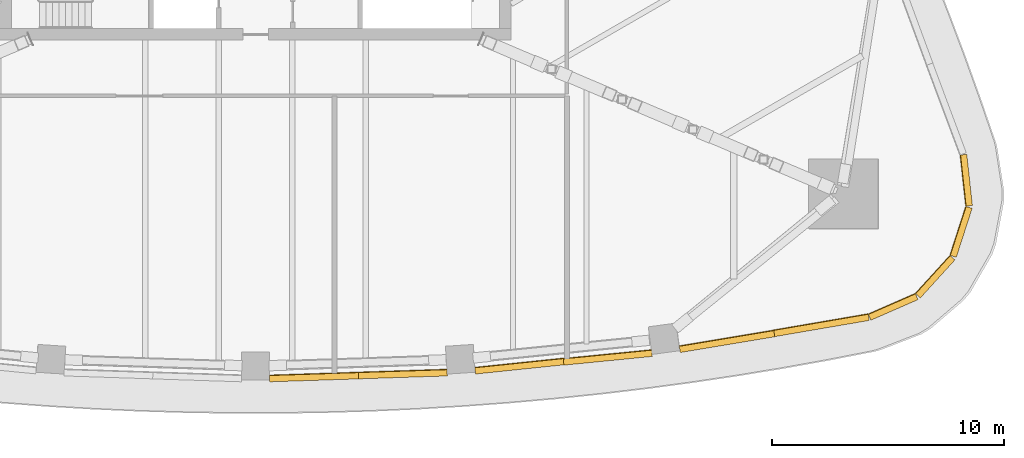
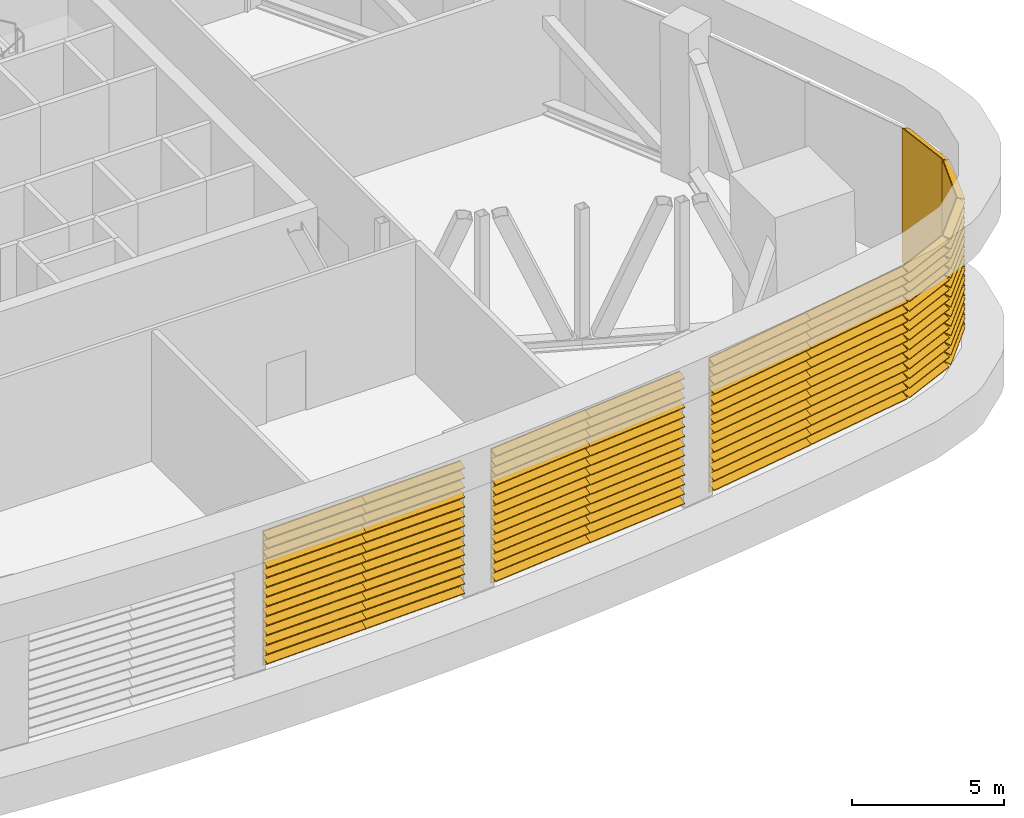
# One storey, part 14 of 18: 10 shading devices.
"""IFC4 building model written with IfcOpenShell, lengths in metres."""

from ifc_helpers import new_model, si_unit, direction, frame, origin, place, context, subcontext, project, spatial, polyline, outline, extrude, material, type_object, element, save


model = new_model("IFC4")

# Units and contexts
model_context = context("Model", 3, precision=1e-05, world=origin(), true_north=direction((0.0, 1.0)))
body_context = subcontext(model_context, "Body", "Model", "MODEL_VIEW")
ifc_project = project(units=[si_unit("LENGTHUNIT", "METRE"), si_unit("AREAUNIT", "SQUARE_METRE"), si_unit("VOLUMEUNIT", "CUBIC_METRE"), si_unit("PLANEANGLEUNIT", "RADIAN"), si_unit("MASSUNIT", "GRAM", prefix="KILO")], contexts=[model_context])

# Site, building, storey
site_placement = place(None, origin())
site = spatial("IfcSite", under=ifc_project, at=site_placement, CompositionType="ELEMENT")
building_placement = place(site_placement, origin())
building = spatial("IfcBuilding", under=site, at=building_placement, Name="Sierra Prisma Convention Tower", CompositionType="ELEMENT")
storey_placement = place(building_placement, frame((0.0, 0.0, 112.60009765625)))
storey = spatial("IfcBuildingStorey", under=building, at=storey_placement, Name="L24", CompositionType="ELEMENT", Elevation=112.60009765625)

# Shading devices
ifc_material = material(Name="Aluminium 6063-T6 bronze anodised", Category="aluminium")
shading_device_type = type_object("IfcShadingDeviceType", Name="Louvre bay bronze", PredefinedType="USERDEFINED", material=ifc_material)
shading_device_1_placement = place(storey_placement, frame((0.599609375, -22.4072265625, 0.0), z_axis=(-0.999453875751, -0.033044670469, 0.0), x_axis=(0.0, 0.0, 1.0)))
element("IfcShadingDevice", 1, at=shading_device_1_placement, inside=storey, type_object=shading_device_type, Name="Louvre L24 S4.1", ObjectType="LOUVRE", PredefinedType="USERDEFINED", context=body_context, shape_type="SweptSolid", body=[
    extrude(outline(polyline([(0.0, 0.0), (5.39990234375, 0.0), (5.39990234375, -0.029801160039915012), (5.3798828125, -0.029801160039915012), (5.260009765625, -0.29997172629672747), (5.22998046875, -0.29997172629672747), (5.349853515625, -0.029801160039915012), (5.01416015625, -0.029801160039915012), (4.994140625, -0.029801160039915012), (4.874267578125, -0.29997172629672747), (4.84423828125, -0.29997172629672747), (4.964111328125, -0.029801160039915012), (4.62841796875, -0.029801160039915012), (4.6083984375, -0.029801160039915012), (4.488525390625, -0.29997172629672747), (4.45849609375, -0.29997172629672747), (4.578369140625, -0.029801160039915012), (4.24267578125, -0.029801160039915012), (4.22265625, -0.029801160039915012), (4.102783203125, -0.29997172629672747), (4.07275390625, -0.29997172629672747), (4.19287109375, -0.029801160039915012), (3.85693359375, -0.029801160039915012), (3.837158203125, -0.029801160039915012), (3.717041015625, -0.29997172629672747), (3.68701171875, -0.29997172629672747), (3.80712890625, -0.029801160039915012), (3.471435546875, -0.029801160039915012), (3.451416015625, -0.029801160039915012), (3.331298828125, -0.29997172629672747), (3.30126953125, -0.29997172629672747), (3.42138671875, -0.029801160039915012), (3.085693359375, -0.029801160039915012), (3.065673828125, -0.029801160039915012), (2.945556640625, -0.29997172629672747), (2.91552734375, -0.29997172629672747), (3.03564453125, -0.029801160039915012), (2.699951171875, -0.029801160039915012), (2.679931640625, -0.029801160039915012), (2.559814453125, -0.29997172629672747), (2.52978515625, -0.29997172629672747), (2.64990234375, -0.029801160039915012), (2.314208984375, -0.029801160039915012), (2.294189453125, -0.029801160039915012), (2.174072265625, -0.29997172629672747), (2.144287109375, -0.29997172629672747), (2.26416015625, -0.029801160039915012), (1.928466796875, -0.029801160039915012), (1.908447265625, -0.029801160039915012), (1.78857421875, -0.29997172629672747), (1.758544921875, -0.29997172629672747), (1.87841796875, -0.029801160039915012), (1.542724609375, -0.029801160039915012), (1.522705078125, -0.029801160039915012), (1.40283203125, -0.29997172629672747), (1.372802734375, -0.29997172629672747), (1.49267578125, -0.029801160039915012), (1.156982421875, -0.029801160039915012), (1.136962890625, -0.029801160039915012), (1.01708984375, -0.29997172629672747), (0.987060546875, -0.29997172629672747), (1.10693359375, -0.029801160039915012), (0.771240234375, -0.029801160039915012), (0.751220703125, -0.029801160039915012), (0.63134765625, -0.29997172629672747), (0.601318359375, -0.29997172629672747), (0.721435546875, -0.029801160039915012), (0.385498046875, -0.029801160039915012), (0.36572265625, -0.029801160039915012), (0.24560546875, -0.29997172629672747), (0.215576171875, -0.29997172629672747), (0.335693359375, -0.029801160039915012), (0.0, -0.029801160039915012), (0.0, 0.0)])), origin(), (0.0, 0.0, -1.0), 3.823486328125),
])
shading_device_2_placement = place(storey_placement, frame((4.4208984375, -22.279541015625, 0.0), z_axis=(-0.999458681794, -0.032898987625, 0.0), x_axis=(0.0, 0.0, 1.0)))
element("IfcShadingDevice", 2, at=shading_device_2_placement, inside=storey, type_object=shading_device_type, Name="Louvre L24 S4.2", ObjectType="LOUVRE", PredefinedType="USERDEFINED", context=body_context, shape_type="SweptSolid", body=[
    extrude(outline(polyline([(0.0, 0.0), (5.39990234375, 0.0), (5.39990234375, -0.03004516938748847), (5.3798828125, -0.03004516938748847), (5.260009765625, -0.2999717089198156), (5.22998046875, -0.2999717089198156), (5.349853515625, -0.03004516938748847), (5.01416015625, -0.03004516938748847), (4.994140625, -0.03004516938748847), (4.874267578125, -0.2999717089198156), (4.84423828125, -0.2999717089198156), (4.964111328125, -0.03004516938748847), (4.62841796875, -0.03004516938748847), (4.6083984375, -0.03004516938748847), (4.488525390625, -0.2999717089198156), (4.45849609375, -0.2999717089198156), (4.578369140625, -0.03004516938748847), (4.24267578125, -0.03004516938748847), (4.22265625, -0.03004516938748847), (4.102783203125, -0.2999717089198156), (4.07275390625, -0.2999717089198156), (4.19287109375, -0.03004516938748847), (3.85693359375, -0.03004516938748847), (3.837158203125, -0.03004516938748847), (3.717041015625, -0.2999717089198156), (3.68701171875, -0.2999717089198156), (3.80712890625, -0.03004516938748847), (3.471435546875, -0.03004516938748847), (3.451416015625, -0.03004516938748847), (3.331298828125, -0.2999717089198156), (3.30126953125, -0.2999717089198156), (3.42138671875, -0.03004516938748847), (3.085693359375, -0.03004516938748847), (3.065673828125, -0.03004516938748847), (2.945556640625, -0.2999717089198156), (2.91552734375, -0.2999717089198156), (3.03564453125, -0.03004516938748847), (2.699951171875, -0.03004516938748847), (2.679931640625, -0.03004516938748847), (2.559814453125, -0.2999717089198156), (2.52978515625, -0.2999717089198156), (2.64990234375, -0.03004516938748847), (2.314208984375, -0.03004516938748847), (2.294189453125, -0.03004516938748847), (2.174072265625, -0.2999717089198156), (2.144287109375, -0.2999717089198156), (2.26416015625, -0.03004516938748847), (1.928466796875, -0.03004516938748847), (1.908447265625, -0.03004516938748847), (1.78857421875, -0.2999717089198156), (1.758544921875, -0.2999717089198156), (1.87841796875, -0.03004516938748847), (1.542724609375, -0.03004516938748847), (1.522705078125, -0.03004516938748847), (1.40283203125, -0.2999717089198156), (1.372802734375, -0.2999717089198156), (1.49267578125, -0.03004516938748847), (1.156982421875, -0.03004516938748847), (1.136962890625, -0.03004516938748847), (1.01708984375, -0.2999717089198156), (0.987060546875, -0.2999717089198156), (1.10693359375, -0.03004516938748847), (0.771240234375, -0.03004516938748847), (0.751220703125, -0.03004516938748847), (0.63134765625, -0.2999717089198156), (0.601318359375, -0.2999717089198156), (0.721435546875, -0.03004516938748847), (0.385498046875, -0.03004516938748847), (0.36572265625, -0.03004516938748847), (0.24560546875, -0.2999717089198156), (0.215576171875, -0.2999717089198156), (0.335693359375, -0.03004516938748847), (0.0, -0.03004516938748847), (0.0, 0.0)])), origin(), (0.0, 0.0, -1.0), 3.823486328125),
])
shading_device_3_placement = place(storey_placement, frame((9.438720703125, -22.072021484375, 0.0), z_axis=(-0.994650388879, -0.103298615201, 0.0), x_axis=(0.0, 0.0, 1.0)))
element("IfcShadingDevice", 3, at=shading_device_3_placement, inside=storey, type_object=shading_device_type, Name="Louvre L24 S5.1", ObjectType="LOUVRE", PredefinedType="USERDEFINED", context=body_context, shape_type="SweptSolid", body=[
    extrude(outline(polyline([(0.0, 0.0), (5.39990234375, 0.0), (5.39990234375, -0.02995366929708891), (5.3798828125, -0.02995366929708891), (5.260009765625, -0.2998458263867461), (5.22998046875, -0.2998458263867461), (5.349853515625, -0.02995366929708891), (5.01416015625, -0.02995366929708891), (4.994140625, -0.02995366929708891), (4.874267578125, -0.2998458263867461), (4.84423828125, -0.2998458263867461), (4.964111328125, -0.02995366929708891), (4.62841796875, -0.02995366929708891), (4.6083984375, -0.02995366929708891), (4.488525390625, -0.2998458263867461), (4.45849609375, -0.2998458263867461), (4.578369140625, -0.02995366929708891), (4.24267578125, -0.02995366929708891), (4.22265625, -0.02995366929708891), (4.102783203125, -0.2998458263867461), (4.07275390625, -0.2998458263867461), (4.19287109375, -0.02995366929708891), (3.85693359375, -0.02995366929708891), (3.837158203125, -0.02995366929708891), (3.717041015625, -0.2998458263867461), (3.68701171875, -0.2998458263867461), (3.80712890625, -0.02995366929708891), (3.471435546875, -0.02995366929708891), (3.451416015625, -0.02995366929708891), (3.331298828125, -0.2998458263867461), (3.30126953125, -0.2998458263867461), (3.42138671875, -0.02995366929708891), (3.085693359375, -0.02995366929708891), (3.065673828125, -0.02995366929708891), (2.945556640625, -0.2998458263867461), (2.91552734375, -0.2998458263867461), (3.03564453125, -0.02995366929708891), (2.699951171875, -0.02995366929708891), (2.679931640625, -0.02995366929708891), (2.559814453125, -0.2998458263867461), (2.52978515625, -0.2998458263867461), (2.64990234375, -0.02995366929708891), (2.314208984375, -0.02995366929708891), (2.294189453125, -0.02995366929708891), (2.174072265625, -0.2998458263867461), (2.144287109375, -0.2998458263867461), (2.26416015625, -0.02995366929708891), (1.928466796875, -0.02995366929708891), (1.908447265625, -0.02995366929708891), (1.78857421875, -0.2998458263867461), (1.758544921875, -0.2998458263867461), (1.87841796875, -0.02995366929708891), (1.542724609375, -0.02995366929708891), (1.522705078125, -0.02995366929708891), (1.40283203125, -0.2998458263867461), (1.372802734375, -0.2998458263867461), (1.49267578125, -0.02995366929708891), (1.156982421875, -0.02995366929708891), (1.136962890625, -0.02995366929708891), (1.01708984375, -0.2998458263867461), (0.987060546875, -0.2998458263867461), (1.10693359375, -0.02995366929708891), (0.771240234375, -0.02995366929708891), (0.751220703125, -0.02995366929708891), (0.63134765625, -0.2998458263867461), (0.601318359375, -0.2998458263867461), (0.721435546875, -0.02995366929708891), (0.385498046875, -0.02995366929708891), (0.36572265625, -0.02995366929708891), (0.24560546875, -0.2998458263867461), (0.215576171875, -0.2998458263867461), (0.335693359375, -0.02995366929708891), (0.0, -0.02995366929708891), (0.0, 0.0)])), origin(), (0.0, 0.0, -1.0), 3.823486328125),
])
shading_device_4_placement = place(storey_placement, frame((13.2431640625, -21.689697265625, 0.0), z_axis=(-0.995177909285, -0.098086333767, 0.0), x_axis=(0.0, 0.0, 1.0)))
element("IfcShadingDevice", 4, at=shading_device_4_placement, inside=storey, type_object=shading_device_type, Name="Louvre L24 S5.2", ObjectType="LOUVRE", PredefinedType="USERDEFINED", context=body_context, shape_type="SweptSolid", body=[
    extrude(outline(polyline([(0.0, 0.0), (5.39990234375, 0.0), (5.39990234375, -0.03017185518730831), (5.3798828125, -0.03017185518730831), (5.260009765625, -0.3000657020934301), (5.22998046875, -0.3000657020934301), (5.349853515625, -0.03017185518730831), (5.01416015625, -0.03017185518730831), (4.994140625, -0.03017185518730831), (4.874267578125, -0.3000657020934301), (4.84423828125, -0.3000657020934301), (4.964111328125, -0.03017185518730831), (4.62841796875, -0.03017185518730831), (4.6083984375, -0.03017185518730831), (4.488525390625, -0.3000657020934301), (4.45849609375, -0.3000657020934301), (4.578369140625, -0.03017185518730831), (4.24267578125, -0.03017185518730831), (4.22265625, -0.03017185518730831), (4.102783203125, -0.3000657020934301), (4.07275390625, -0.3000657020934301), (4.19287109375, -0.03017185518730831), (3.85693359375, -0.03017185518730831), (3.837158203125, -0.03017185518730831), (3.717041015625, -0.3000657020934301), (3.68701171875, -0.3000657020934301), (3.80712890625, -0.03017185518730831), (3.471435546875, -0.03017185518730831), (3.451416015625, -0.03017185518730831), (3.331298828125, -0.3000657020934301), (3.30126953125, -0.3000657020934301), (3.42138671875, -0.03017185518730831), (3.085693359375, -0.03017185518730831), (3.065673828125, -0.03017185518730831), (2.945556640625, -0.3000657020934301), (2.91552734375, -0.3000657020934301), (3.03564453125, -0.03017185518730831), (2.699951171875, -0.03017185518730831), (2.679931640625, -0.03017185518730831), (2.559814453125, -0.3000657020934301), (2.52978515625, -0.3000657020934301), (2.64990234375, -0.03017185518730831), (2.314208984375, -0.03017185518730831), (2.294189453125, -0.03017185518730831), (2.174072265625, -0.3000657020934301), (2.144287109375, -0.3000657020934301), (2.26416015625, -0.03017185518730831), (1.928466796875, -0.03017185518730831), (1.908447265625, -0.03017185518730831), (1.78857421875, -0.3000657020934301), (1.758544921875, -0.3000657020934301), (1.87841796875, -0.03017185518730831), (1.542724609375, -0.03017185518730831), (1.522705078125, -0.03017185518730831), (1.40283203125, -0.3000657020934301), (1.372802734375, -0.3000657020934301), (1.49267578125, -0.03017185518730831), (1.156982421875, -0.03017185518730831), (1.136962890625, -0.03017185518730831), (1.01708984375, -0.3000657020934301), (0.987060546875, -0.3000657020934301), (1.10693359375, -0.03017185518730831), (0.771240234375, -0.03017185518730831), (0.751220703125, -0.03017185518730831), (0.63134765625, -0.3000657020934301), (0.601318359375, -0.3000657020934301), (0.721435546875, -0.03017185518730831), (0.385498046875, -0.03017185518730831), (0.36572265625, -0.03017185518730831), (0.24560546875, -0.3000657020934301), (0.215576171875, -0.3000657020934301), (0.335693359375, -0.03017185518730831), (0.0, -0.03017185518730831), (0.0, 0.0)])), origin(), (0.0, 0.0, -1.0), 3.823486328125),
])
shading_device_5_placement = place(storey_placement, frame((18.236083984375, -21.14794921875, 0.0), z_axis=(-0.986392468857, -0.164407716917, 0.0), x_axis=(0.0, 0.0, 1.0)))
element("IfcShadingDevice", 5, at=shading_device_5_placement, inside=storey, type_object=shading_device_type, Name="Louvre L24 S6.1", ObjectType="LOUVRE", PredefinedType="USERDEFINED", context=body_context, shape_type="SweptSolid", body=[
    extrude(outline(polyline([(0.0, 0.0), (5.39990234375, 0.0), (5.39990234375, -0.029941807390150715), (5.3798828125, -0.029941807390150715), (5.260009765625, -0.3000602652602432), (5.22998046875, -0.3000602652602432), (5.349853515625, -0.029941807390150715), (5.01416015625, -0.029941807390150715), (4.994140625, -0.029941807390150715), (4.874267578125, -0.3000602652602432), (4.84423828125, -0.3000602652602432), (4.964111328125, -0.029941807390150715), (4.62841796875, -0.029941807390150715), (4.6083984375, -0.029941807390150715), (4.488525390625, -0.3000602652602432), (4.45849609375, -0.3000602652602432), (4.578369140625, -0.029941807390150715), (4.24267578125, -0.029941807390150715), (4.22265625, -0.029941807390150715), (4.102783203125, -0.3000602652602432), (4.07275390625, -0.3000602652602432), (4.19287109375, -0.029941807390150715), (3.85693359375, -0.029941807390150715), (3.837158203125, -0.029941807390150715), (3.717041015625, -0.3000602652602432), (3.68701171875, -0.3000602652602432), (3.80712890625, -0.029941807390150715), (3.471435546875, -0.029941807390150715), (3.451416015625, -0.029941807390150715), (3.331298828125, -0.3000602652602432), (3.30126953125, -0.3000602652602432), (3.42138671875, -0.029941807390150715), (3.085693359375, -0.029941807390150715), (3.065673828125, -0.029941807390150715), (2.945556640625, -0.3000602652602432), (2.91552734375, -0.3000602652602432), (3.03564453125, -0.029941807390150715), (2.699951171875, -0.029941807390150715), (2.679931640625, -0.029941807390150715), (2.559814453125, -0.3000602652602432), (2.52978515625, -0.3000602652602432), (2.64990234375, -0.029941807390150715), (2.314208984375, -0.029941807390150715), (2.294189453125, -0.029941807390150715), (2.174072265625, -0.3000602652602432), (2.144287109375, -0.3000602652602432), (2.26416015625, -0.029941807390150715), (1.928466796875, -0.029941807390150715), (1.908447265625, -0.029941807390150715), (1.78857421875, -0.3000602652602432), (1.758544921875, -0.3000602652602432), (1.87841796875, -0.029941807390150715), (1.542724609375, -0.029941807390150715), (1.522705078125, -0.029941807390150715), (1.40283203125, -0.3000602652602432), (1.372802734375, -0.3000602652602432), (1.49267578125, -0.029941807390150715), (1.156982421875, -0.029941807390150715), (1.136962890625, -0.029941807390150715), (1.01708984375, -0.3000602652602432), (0.987060546875, -0.3000602652602432), (1.10693359375, -0.029941807390150715), (0.771240234375, -0.029941807390150715), (0.751220703125, -0.029941807390150715), (0.63134765625, -0.3000602652602432), (0.601318359375, -0.3000602652602432), (0.721435546875, -0.029941807390150715), (0.385498046875, -0.029941807390150715), (0.36572265625, -0.029941807390150715), (0.24560546875, -0.3000602652602432), (0.215576171875, -0.3000602652602432), (0.335693359375, -0.029941807390150715), (0.0, -0.029941807390150715), (0.0, 0.0)])), origin(), (0.0, 0.0, -1.0), 4.123291015625),
])
shading_device_6_placement = place(storey_placement, frame((22.302001953125, -20.463134765625, 0.0), z_axis=(-0.985667054342, -0.168702276168, 0.0), x_axis=(0.0, 0.0, 1.0)))
element("IfcShadingDevice", 6, at=shading_device_6_placement, inside=storey, type_object=shading_device_type, Name="Louvre L24 S6.2", ObjectType="LOUVRE", PredefinedType="USERDEFINED", context=body_context, shape_type="SweptSolid", body=[
    extrude(outline(polyline([(0.0, 0.0), (5.39990234375, 0.0), (5.39990234375, -0.029982534515366425), (5.3798828125, -0.029982534515366425), (5.260009765625, -0.30005950542018606), (5.22998046875, -0.30005950542018606), (5.349853515625, -0.029982534515366425), (5.01416015625, -0.029982534515366425), (4.994140625, -0.029982534515366425), (4.874267578125, -0.30005950542018606), (4.84423828125, -0.30005950542018606), (4.964111328125, -0.029982534515366425), (4.62841796875, -0.029982534515366425), (4.6083984375, -0.029982534515366425), (4.488525390625, -0.30005950542018606), (4.45849609375, -0.30005950542018606), (4.578369140625, -0.029982534515366425), (4.24267578125, -0.029982534515366425), (4.22265625, -0.029982534515366425), (4.102783203125, -0.30005950542018606), (4.07275390625, -0.30005950542018606), (4.19287109375, -0.029982534515366425), (3.85693359375, -0.029982534515366425), (3.837158203125, -0.029982534515366425), (3.717041015625, -0.30005950542018606), (3.68701171875, -0.30005950542018606), (3.80712890625, -0.029982534515366425), (3.471435546875, -0.029982534515366425), (3.451416015625, -0.029982534515366425), (3.331298828125, -0.30005950542018606), (3.30126953125, -0.30005950542018606), (3.42138671875, -0.029982534515366425), (3.085693359375, -0.029982534515366425), (3.065673828125, -0.029982534515366425), (2.945556640625, -0.30005950542018606), (2.91552734375, -0.30005950542018606), (3.03564453125, -0.029982534515366425), (2.699951171875, -0.029982534515366425), (2.679931640625, -0.029982534515366425), (2.559814453125, -0.30005950542018606), (2.52978515625, -0.30005950542018606), (2.64990234375, -0.029982534515366425), (2.314208984375, -0.029982534515366425), (2.294189453125, -0.029982534515366425), (2.174072265625, -0.30005950542018606), (2.144287109375, -0.30005950542018606), (2.26416015625, -0.029982534515366425), (1.928466796875, -0.029982534515366425), (1.908447265625, -0.029982534515366425), (1.78857421875, -0.30005950542018606), (1.758544921875, -0.30005950542018606), (1.87841796875, -0.029982534515366425), (1.542724609375, -0.029982534515366425), (1.522705078125, -0.029982534515366425), (1.40283203125, -0.30005950542018606), (1.372802734375, -0.30005950542018606), (1.49267578125, -0.029982534515366425), (1.156982421875, -0.029982534515366425), (1.136962890625, -0.029982534515366425), (1.01708984375, -0.30005950542018606), (0.987060546875, -0.30005950542018606), (1.10693359375, -0.029982534515366425), (0.771240234375, -0.029982534515366425), (0.751220703125, -0.029982534515366425), (0.63134765625, -0.30005950542018606), (0.601318359375, -0.30005950542018606), (0.721435546875, -0.029982534515366425), (0.385498046875, -0.029982534515366425), (0.36572265625, -0.029982534515366425), (0.24560546875, -0.30005950542018606), (0.215576171875, -0.30005950542018606), (0.335693359375, -0.029982534515366425), (0.0, -0.029982534515366425), (0.0, 0.0)])), origin(), (0.0, 0.0, -1.0), 4.123291015625),
])
shading_device_7_placement = place(storey_placement, frame((26.3681640625, -19.7783203125, 0.0), z_axis=(-0.916243010956, -0.400622946015, 0.0), x_axis=(0.0, 0.0, 1.0)))
element("IfcShadingDevice", 7, at=shading_device_7_placement, inside=storey, type_object=shading_device_type, Name="Louvre L24 SE1.1", ObjectType="LOUVRE", PredefinedType="USERDEFINED", context=body_context, shape_type="SweptSolid", body=[
    extrude(outline(polyline([(0.0, 0.0), (5.39990234375, 0.0), (5.39990234375, -0.029846128315878996), (5.3798828125, -0.029846128315878996), (5.260009765625, -0.29999905267972937), (5.22998046875, -0.29999905267972937), (5.349853515625, -0.029846128315878996), (5.01416015625, -0.029846128315878996), (4.994140625, -0.029846128315878996), (4.874267578125, -0.29999905267972937), (4.84423828125, -0.29999905267972937), (4.964111328125, -0.029846128315878996), (4.62841796875, -0.029846128315878996), (4.6083984375, -0.029846128315878996), (4.488525390625, -0.29999905267972937), (4.45849609375, -0.29999905267972937), (4.578369140625, -0.029846128315878996), (4.24267578125, -0.029846128315878996), (4.22265625, -0.029846128315878996), (4.102783203125, -0.29999905267972937), (4.07275390625, -0.29999905267972937), (4.19287109375, -0.029846128315878996), (3.85693359375, -0.029846128315878996), (3.837158203125, -0.029846128315878996), (3.717041015625, -0.29999905267972937), (3.68701171875, -0.29999905267972937), (3.80712890625, -0.029846128315878996), (3.471435546875, -0.029846128315878996), (3.451416015625, -0.029846128315878996), (3.331298828125, -0.29999905267972937), (3.30126953125, -0.29999905267972937), (3.42138671875, -0.029846128315878996), (3.085693359375, -0.029846128315878996), (3.065673828125, -0.029846128315878996), (2.945556640625, -0.29999905267972937), (2.91552734375, -0.29999905267972937), (3.03564453125, -0.029846128315878996), (2.699951171875, -0.029846128315878996), (2.679931640625, -0.029846128315878996), (2.559814453125, -0.29999905267972937), (2.52978515625, -0.29999905267972937), (2.64990234375, -0.029846128315878996), (2.314208984375, -0.029846128315878996), (2.294189453125, -0.029846128315878996), (2.174072265625, -0.29999905267972937), (2.144287109375, -0.29999905267972937), (2.26416015625, -0.029846128315878996), (1.928466796875, -0.029846128315878996), (1.908447265625, -0.029846128315878996), (1.78857421875, -0.29999905267972937), (1.758544921875, -0.29999905267972937), (1.87841796875, -0.029846128315878996), (1.542724609375, -0.029846128315878996), (1.522705078125, -0.029846128315878996), (1.40283203125, -0.29999905267972937), (1.372802734375, -0.29999905267972937), (1.49267578125, -0.029846128315878996), (1.156982421875, -0.029846128315878996), (1.136962890625, -0.029846128315878996), (1.01708984375, -0.29999905267972937), (0.987060546875, -0.29999905267972937), (1.10693359375, -0.029846128315878996), (0.771240234375, -0.029846128315878996), (0.751220703125, -0.029846128315878996), (0.63134765625, -0.29999905267972937), (0.601318359375, -0.29999905267972937), (0.721435546875, -0.029846128315878996), (0.385498046875, -0.029846128315878996), (0.36572265625, -0.029846128315878996), (0.24560546875, -0.29999905267972937), (0.215576171875, -0.29999905267972937), (0.335693359375, -0.029846128315878996), (0.0, -0.029846128315878996), (0.0, 0.0)])), origin(), (0.0, 0.0, -1.0), 2.212646484375),
])
shading_device_8_placement = place(storey_placement, frame((28.395751953125, -18.89208984375, 0.0), z_axis=(-0.672683282578, -0.739930538186, 0.0), x_axis=(0.0, 0.0, 1.0)))
element("IfcShadingDevice", 8, at=shading_device_8_placement, inside=storey, type_object=shading_device_type, Name="Louvre L24 SE2.1", ObjectType="LOUVRE", PredefinedType="USERDEFINED", context=body_context, shape_type="SweptSolid", body=[
    extrude(outline(polyline([(0.0, 0.0), (5.39990234375, 0.0), (5.39990234375, -0.03006991978244422), (5.3798828125, -0.03006991978244422), (5.260009765625, -0.30005869834331345), (5.22998046875, -0.30005869834331345), (5.349853515625, -0.03006991978244422), (5.01416015625, -0.03006991978244422), (4.994140625, -0.03006991978244422), (4.874267578125, -0.30005869834331345), (4.84423828125, -0.30005869834331345), (4.964111328125, -0.03006991978244422), (4.62841796875, -0.03006991978244422), (4.6083984375, -0.03006991978244422), (4.488525390625, -0.30005869834331345), (4.45849609375, -0.30005869834331345), (4.578369140625, -0.03006991978244422), (4.24267578125, -0.03006991978244422), (4.22265625, -0.03006991978244422), (4.102783203125, -0.30005869834331345), (4.07275390625, -0.30005869834331345), (4.19287109375, -0.03006991978244422), (3.85693359375, -0.03006991978244422), (3.837158203125, -0.03006991978244422), (3.717041015625, -0.30005869834331345), (3.68701171875, -0.30005869834331345), (3.80712890625, -0.03006991978244422), (3.471435546875, -0.03006991978244422), (3.451416015625, -0.03006991978244422), (3.331298828125, -0.30005869834331345), (3.30126953125, -0.30005869834331345), (3.42138671875, -0.03006991978244422), (3.085693359375, -0.03006991978244422), (3.065673828125, -0.03006991978244422), (2.945556640625, -0.30005869834331345), (2.91552734375, -0.30005869834331345), (3.03564453125, -0.03006991978244422), (2.699951171875, -0.03006991978244422), (2.679931640625, -0.03006991978244422), (2.559814453125, -0.30005869834331345), (2.52978515625, -0.30005869834331345), (2.64990234375, -0.03006991978244422), (2.314208984375, -0.03006991978244422), (2.294189453125, -0.03006991978244422), (2.174072265625, -0.30005869834331345), (2.144287109375, -0.30005869834331345), (2.26416015625, -0.03006991978244422), (1.928466796875, -0.03006991978244422), (1.908447265625, -0.03006991978244422), (1.78857421875, -0.30005869834331345), (1.758544921875, -0.30005869834331345), (1.87841796875, -0.03006991978244422), (1.542724609375, -0.03006991978244422), (1.522705078125, -0.03006991978244422), (1.40283203125, -0.30005869834331345), (1.372802734375, -0.30005869834331345), (1.49267578125, -0.03006991978244422), (1.156982421875, -0.03006991978244422), (1.136962890625, -0.03006991978244422), (1.01708984375, -0.30005869834331345), (0.987060546875, -0.30005869834331345), (1.10693359375, -0.03006991978244422), (0.771240234375, -0.03006991978244422), (0.751220703125, -0.03006991978244422), (0.63134765625, -0.30005869834331345), (0.601318359375, -0.30005869834331345), (0.721435546875, -0.03006991978244422), (0.385498046875, -0.03006991978244422), (0.36572265625, -0.03006991978244422), (0.24560546875, -0.30005869834331345), (0.215576171875, -0.30005869834331345), (0.335693359375, -0.03006991978244422), (0.0, -0.03006991978244422), (0.0, 0.0)])), origin(), (0.0, 0.0, -1.0), 2.212646484375),
])
shading_device_9_placement = place(storey_placement, frame((29.880126953125, -17.251220703125, 0.0), z_axis=(-0.308001410193, -0.951385900316, 0.0), x_axis=(0.0, 0.0, 1.0)))
element("IfcShadingDevice", 9, at=shading_device_9_placement, inside=storey, type_object=shading_device_type, Name="Louvre L24 SE3.1", ObjectType="LOUVRE", PredefinedType="USERDEFINED", context=body_context, shape_type="SweptSolid", body=[
    extrude(outline(polyline([(0.0, 0.0), (5.39990234375, 0.0), (5.39990234375, -0.030033252911193065), (5.3798828125, -0.030033252911193065), (5.260009765625, -0.2998746701932553), (5.22998046875, -0.2998746701932553), (5.349853515625, -0.030033252911193065), (5.01416015625, -0.030033252911193065), (4.994140625, -0.030033252911193065), (4.874267578125, -0.2998746701932553), (4.84423828125, -0.2998746701932553), (4.964111328125, -0.030033252911193065), (4.62841796875, -0.030033252911193065), (4.6083984375, -0.030033252911193065), (4.488525390625, -0.2998746701932553), (4.45849609375, -0.2998746701932553), (4.578369140625, -0.030033252911193065), (4.24267578125, -0.030033252911193065), (4.22265625, -0.030033252911193065), (4.102783203125, -0.2998746701932553), (4.07275390625, -0.2998746701932553), (4.19287109375, -0.030033252911193065), (3.85693359375, -0.030033252911193065), (3.837158203125, -0.030033252911193065), (3.717041015625, -0.2998746701932553), (3.68701171875, -0.2998746701932553), (3.80712890625, -0.030033252911193065), (3.471435546875, -0.030033252911193065), (3.451416015625, -0.030033252911193065), (3.331298828125, -0.2998746701932553), (3.30126953125, -0.2998746701932553), (3.42138671875, -0.030033252911193065), (3.085693359375, -0.030033252911193065), (3.065673828125, -0.030033252911193065), (2.945556640625, -0.2998746701932553), (2.91552734375, -0.2998746701932553), (3.03564453125, -0.030033252911193065), (2.699951171875, -0.030033252911193065), (2.679931640625, -0.030033252911193065), (2.559814453125, -0.2998746701932553), (2.52978515625, -0.2998746701932553), (2.64990234375, -0.030033252911193065), (2.314208984375, -0.030033252911193065), (2.294189453125, -0.030033252911193065), (2.174072265625, -0.2998746701932553), (2.144287109375, -0.2998746701932553), (2.26416015625, -0.030033252911193065), (1.928466796875, -0.030033252911193065), (1.908447265625, -0.030033252911193065), (1.78857421875, -0.2998746701932553), (1.758544921875, -0.2998746701932553), (1.87841796875, -0.030033252911193065), (1.542724609375, -0.030033252911193065), (1.522705078125, -0.030033252911193065), (1.40283203125, -0.2998746701932553), (1.372802734375, -0.2998746701932553), (1.49267578125, -0.030033252911193065), (1.156982421875, -0.030033252911193065), (1.136962890625, -0.030033252911193065), (1.01708984375, -0.2998746701932553), (0.987060546875, -0.2998746701932553), (1.10693359375, -0.030033252911193065), (0.771240234375, -0.030033252911193065), (0.751220703125, -0.030033252911193065), (0.63134765625, -0.2998746701932553), (0.601318359375, -0.2998746701932553), (0.721435546875, -0.030033252911193065), (0.385498046875, -0.030033252911193065), (0.36572265625, -0.030033252911193065), (0.24560546875, -0.2998746701932553), (0.215576171875, -0.2998746701932553), (0.335693359375, -0.030033252911193065), (0.0, -0.030033252911193065), (0.0, 0.0)])), origin(), (0.0, 0.0, -1.0), 2.212646484375),
])
shading_device_10_placement = place(storey_placement, frame((30.55908203125, -15.145263671875, 0.0), z_axis=(0.108497434536, -0.994096729046, 0.0), x_axis=(0.0, 0.0, 1.0)))
element("IfcShadingDevice", 10, at=shading_device_10_placement, inside=storey, type_object=shading_device_type, Name="Louvre L24 SE4.1", ObjectType="LOUVRE", PredefinedType="USERDEFINED", context=body_context, shape_type="SweptSolid", body=[
    extrude(outline(polyline([(0.0, 0.0), (5.39990234375, 0.0), (5.39990234375, -0.02995367861145699), (5.3798828125, -0.02995367861145699), (5.260009765625, -0.29996490593165925), (5.22998046875, -0.29996490593165925), (5.349853515625, -0.02995367861145699), (5.01416015625, -0.02995367861145699), (4.994140625, -0.02995367861145699), (4.874267578125, -0.29996490593165925), (4.84423828125, -0.29996490593165925), (4.964111328125, -0.02995367861145699), (4.62841796875, -0.02995367861145699), (4.6083984375, -0.02995367861145699), (4.488525390625, -0.29996490593165925), (4.45849609375, -0.29996490593165925), (4.578369140625, -0.02995367861145699), (4.24267578125, -0.02995367861145699), (4.22265625, -0.02995367861145699), (4.102783203125, -0.29996490593165925), (4.07275390625, -0.29996490593165925), (4.19287109375, -0.02995367861145699), (3.85693359375, -0.02995367861145699), (3.837158203125, -0.02995367861145699), (3.717041015625, -0.29996490593165925), (3.68701171875, -0.29996490593165925), (3.80712890625, -0.02995367861145699), (3.471435546875, -0.02995367861145699), (3.451416015625, -0.02995367861145699), (3.331298828125, -0.29996490593165925), (3.30126953125, -0.29996490593165925), (3.42138671875, -0.02995367861145699), (3.085693359375, -0.02995367861145699), (3.065673828125, -0.02995367861145699), (2.945556640625, -0.29996490593165925), (2.91552734375, -0.29996490593165925), (3.03564453125, -0.02995367861145699), (2.699951171875, -0.02995367861145699), (2.679931640625, -0.02995367861145699), (2.559814453125, -0.29996490593165925), (2.52978515625, -0.29996490593165925), (2.64990234375, -0.02995367861145699), (2.314208984375, -0.02995367861145699), (2.294189453125, -0.02995367861145699), (2.174072265625, -0.29996490593165925), (2.144287109375, -0.29996490593165925), (2.26416015625, -0.02995367861145699), (1.928466796875, -0.02995367861145699), (1.908447265625, -0.02995367861145699), (1.78857421875, -0.29996490593165925), (1.758544921875, -0.29996490593165925), (1.87841796875, -0.02995367861145699), (1.542724609375, -0.02995367861145699), (1.522705078125, -0.02995367861145699), (1.40283203125, -0.29996490593165925), (1.372802734375, -0.29996490593165925), (1.49267578125, -0.02995367861145699), (1.156982421875, -0.02995367861145699), (1.136962890625, -0.02995367861145699), (1.01708984375, -0.29996490593165925), (0.987060546875, -0.29996490593165925), (1.10693359375, -0.02995367861145699), (0.771240234375, -0.02995367861145699), (0.751220703125, -0.02995367861145699), (0.63134765625, -0.29996490593165925), (0.601318359375, -0.29996490593165925), (0.721435546875, -0.02995367861145699), (0.385498046875, -0.02995367861145699), (0.36572265625, -0.02995367861145699), (0.24560546875, -0.29996490593165925), (0.215576171875, -0.29996490593165925), (0.335693359375, -0.02995367861145699), (0.0, -0.02995367861145699), (0.0, 0.0)])), origin(), (0.0, 0.0, -1.0), 2.212646484375),
])

save(model, "model.ifc")
